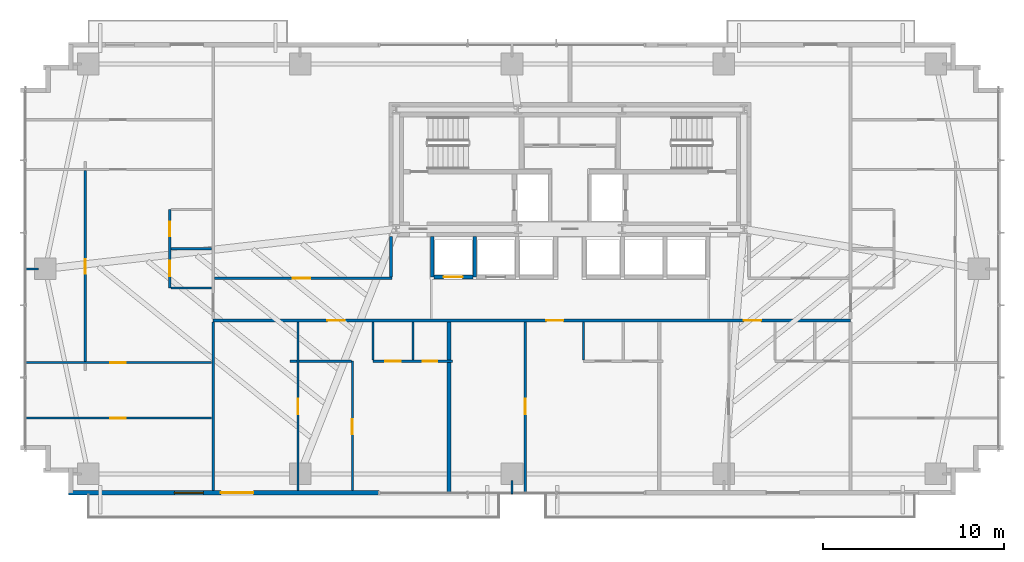
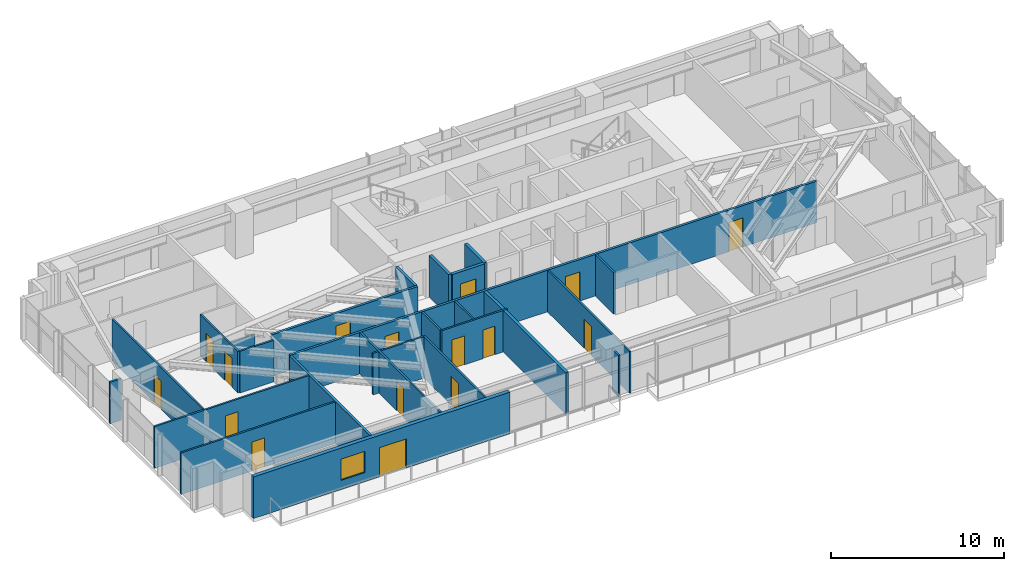
# One storey, part 19 of 25: 27 walls, 16 doors, 1 window, 17 openings.
"""IFC4 building model written with IfcOpenShell, lengths in metres."""

from ifc_helpers import new_model, si_unit, direction, frame, frame_2d, origin, place, context, subcontext, project, spatial, rectangle, extrude, source, transform, mapped, material, layer, layer_set, type_object, type_shapes, element, fill, save


model = new_model("IFC4")

# Units and contexts
model_context = context("Model", 3, precision=1e-05, world=origin(), true_north=direction((0.0, 1.0)))
body_context = subcontext(model_context, "Body", "Model", "MODEL_VIEW")
ifc_project = project(units=[si_unit("LENGTHUNIT", "METRE"), si_unit("AREAUNIT", "SQUARE_METRE"), si_unit("VOLUMEUNIT", "CUBIC_METRE"), si_unit("PLANEANGLEUNIT", "RADIAN"), si_unit("MASSUNIT", "GRAM", prefix="KILO")], contexts=[model_context])

# Site, building, storey
site_placement = place(None, origin())
site = spatial("IfcSite", under=ifc_project, at=site_placement, CompositionType="ELEMENT")
building_placement = place(site_placement, origin())
building = spatial("IfcBuilding", under=site, at=building_placement, Name="Astriad Promenade Condominiums", CompositionType="ELEMENT")
storey_placement = place(building_placement, frame((0.0, 0.0, 58.199951171875)))
storey = spatial("IfcBuildingStorey", under=building, at=storey_placement, Name="L16", CompositionType="ELEMENT", Elevation=58.199951171875)

# Wall, openings, doors
ifc_material_1 = material(Name="Fire-Rated Gypsum Partition")
ifc_layer_1 = layer(ifc_material_1, 0.159912109375)
ifc_layer_set_1 = layer_set([ifc_layer_1], Name="Fire-Rated Gypsum Partition")
wall_type_1 = type_object("IfcWallType", Name="WALL-CORR-160", PredefinedType="PARTITIONING", material=ifc_layer_set_1)
wall_1_placement = place(storey_placement, frame((16.300048828125, 12.35009765625, 0.0), z_axis=(0.0, 0.0, 1.0), x_axis=(1.0, 0.0, 0.0)))
wall_1 = element("IfcWall", 1, at=wall_1_placement, inside=storey, type_object=wall_type_1, Name="PT-COR-S-L16", PredefinedType="PARTITIONING", context=body_context, shape_type="SweptSolid", body=[
    extrude(rectangle(XDim=35.199951171875, YDim=0.159912109375, at=frame_2d((17.60009765625, 0.0))), origin(), (0.0, 0.0, 1.0), 2.93994140625),
])
opening_1_placement = place(wall_1_placement, frame((6.306884765625, 0.0, 0.0)))
opening_1 = element("IfcOpeningElement", 2, at=opening_1_placement, cuts=wall_1, Name="Opening FD60-APT-095", PredefinedType="OPENING", context=body_context, shape_type="SweptSolid", body=[
    extrude(rectangle(XDim=0.949951171875, YDim=2.06005859375, at=frame_2d((0.47509765625, 1.030029296875))), frame((0.0, 0.08984375, 0.0), z_axis=(0.0, -1.0, 0.0), x_axis=(1.0, 0.0, 0.0)), (0.0, 0.0, 1.0), 0.179931640625),
])
opening_2_placement = place(wall_1_placement, frame((18.39208984375, 0.0, 0.0)))
opening_2 = element("IfcOpeningElement", 3, at=opening_2_placement, cuts=wall_1, Name="Opening FD60-APT-095", PredefinedType="OPENING", context=body_context, shape_type="SweptSolid", body=[
    extrude(rectangle(XDim=0.949951171875, YDim=2.06005859375, at=frame_2d((0.47509765625, 1.030029296875))), frame((0.0, 0.08984375, 0.0), z_axis=(0.0, -1.0, 0.0), x_axis=(1.0, 0.0, 0.0)), (0.0, 0.0, 1.0), 0.179931640625),
])
opening_3_placement = place(wall_1_placement, frame((29.303955078125, 0.0, 0.0)))
opening_3 = element("IfcOpeningElement", 4, at=opening_3_placement, cuts=wall_1, Name="Opening FD60-APT-095", PredefinedType="OPENING", context=body_context, shape_type="SweptSolid", body=[
    extrude(rectangle(XDim=0.949951171875, YDim=2.06005859375, at=frame_2d((0.47509765625, 1.030029296875))), frame((0.0, 0.08984375, 0.0), z_axis=(0.0, -1.0, 0.0), x_axis=(1.0, 0.0, 0.0)), (0.0, 0.0, 1.0), 0.179931640625),
])
ifc_material_2 = material(Name="Solid-Core Acoustic Timber Residence Entry Door", Category="wood")
door_type_1 = type_object("IfcDoorType", Name="FD60-APT-095", OperationType="NOTDEFINED", PredefinedType="DOOR", material=ifc_material_2)
shared_shape_1 = source(origin(), body_context, "Body", "SweptSolid", [
    extrude(rectangle(XDim=0.949951171875, YDim=2.06005859375, at=frame_2d((0.47509765625, 1.030029296875))), frame((0.0, 0.02490234375, 0.0), z_axis=(0.0, -1.0, 0.0), x_axis=(1.0, 0.0, 0.0)), (0.0, 0.0, 1.0), 0.050048828125),
])
type_shapes(door_type_1, [shared_shape_1])
door_1_placement = place(opening_1_placement, origin())
door_1 = element("IfcDoor", 5, at=door_1_placement, inside=storey, type_object=door_type_1, Name="D-ENT-L16-S1", OperationType="SINGLE_SWING_LEFT", OverallHeight=2.06005859375, OverallWidth=0.949951171875, PredefinedType="DOOR", context=body_context, shape_type="MappedRepresentation", body=[
    mapped(shared_shape_1, transform((0.0, 0.0, 0.0), scale=1.0)),
])
fill(opening_1, door_1)
door_2_placement = place(opening_2_placement, origin())
door_2 = element("IfcDoor", 6, at=door_2_placement, inside=storey, type_object=door_type_1, Name="D-ENT-L16-S2", OperationType="SINGLE_SWING_LEFT", OverallHeight=2.06005859375, OverallWidth=0.949951171875, PredefinedType="DOOR", context=body_context, shape_type="MappedRepresentation", body=[
    mapped(shared_shape_1, transform((0.0, 0.0, 0.0), scale=1.0)),
])
fill(opening_2, door_2)
door_3_placement = place(opening_3_placement, origin())
door_3 = element("IfcDoor", 7, at=door_3_placement, inside=storey, type_object=door_type_1, Name="D-ENT-L16-S3", OperationType="SINGLE_SWING_LEFT", OverallHeight=2.06005859375, OverallWidth=0.949951171875, PredefinedType="DOOR", context=body_context, shape_type="MappedRepresentation", body=[
    mapped(shared_shape_1, transform((0.0, 0.0, 0.0), scale=1.0)),
])
fill(opening_3, door_3)

# Wall
wall_2_placement = place(storey_placement, frame((16.300048828125, 2.9619140625, 0.0), z_axis=(0.0, 0.0, 1.0), x_axis=(0.0, 1.0, 0.0)))
element("IfcWall", 8, at=wall_2_placement, inside=storey, type_object=wall_type_1, Name="PT-COR-W-L16", PredefinedType="PARTITIONING", context=body_context, shape_type="SweptSolid", body=[
    extrude(rectangle(XDim=9.30615234375, YDim=0.159912109375, at=frame_2d((4.653076171875, 0.0))), origin(), (0.0, 0.0, 1.0), 2.93994140625),
])

# Wall, opening, door
wall_3_placement = place(storey_placement, frame((16.382080078125, 14.679931640625, 0.0), z_axis=(0.0, 0.0, 1.0), x_axis=(1.0, 0.0, 0.0)))
wall_3 = element("IfcWall", 9, at=wall_3_placement, inside=storey, type_object=wall_type_1, Name="PT-FLK-NW-L16", PredefinedType="PARTITIONING", context=body_context, shape_type="SweptSolid", body=[
    extrude(rectangle(XDim=9.77783203125, YDim=0.159912109375, at=frame_2d((4.888916015625, 0.0))), origin(), (0.0, 0.0, 1.0), 2.93994140625),
])
opening_4_placement = place(wall_3_placement, frame((4.31298828125, 0.0, 0.0)))
opening_4 = element("IfcOpeningElement", 10, at=opening_4_placement, cuts=wall_3, Name="Opening FD60-APT-095", PredefinedType="OPENING", context=body_context, shape_type="SweptSolid", body=[
    extrude(rectangle(XDim=0.949951171875, YDim=2.06005859375, at=frame_2d((0.47509765625, 1.030029296875))), frame((0.0, 0.08984375, 0.0), z_axis=(0.0, -1.0, 0.0), x_axis=(1.0, 0.0, 0.0)), (0.0, 0.0, 1.0), 0.179931640625),
])
door_4_placement = place(opening_4_placement, origin())
door_4 = element("IfcDoor", 11, at=door_4_placement, inside=storey, type_object=door_type_1, Name="D-NWA-L16", OperationType="SINGLE_SWING_RIGHT", OverallHeight=2.06005859375, OverallWidth=0.949951171875, PredefinedType="DOOR", context=body_context, shape_type="MappedRepresentation", body=[
    mapped(shared_shape_1, transform((0.0, 0.0, 0.0), scale=1.0)),
])
fill(opening_4, door_4)

# Walls
wall_4_placement = place(storey_placement, frame((26.1201171875, 14.761962890625, 0.0), z_axis=(0.0, 0.0, 1.0), x_axis=(0.0, 1.0, 0.0)))
element("IfcWall", 12, at=wall_4_placement, inside=storey, type_object=wall_type_1, Name="PT-WSPUR-W-L16", PredefinedType="PARTITIONING", context=body_context, shape_type="SweptSolid", body=[
    extrude(rectangle(XDim=2.236083984375, YDim=0.159912109375, at=frame_2d((1.1181640625, 0.0))), origin(), (0.0, 0.0, 1.0), 2.93994140625),
])
ifc_material_3 = material(Name="Acoustic Double-Stud Gypsum Partition")
ifc_layer_2 = layer(ifc_material_3, 0.199951171875)
ifc_layer_set_2 = layer_set([ifc_layer_2], Name="Acoustic Double-Stud Gypsum Partition")
wall_type_2 = type_object("IfcWallType", Name="WALL-DEMISING-200", PredefinedType="PARTITIONING", material=ifc_layer_set_2)
wall_5_placement = place(storey_placement, frame((29.323974609375, 2.780029296875, 0.0), z_axis=(0.0, 0.0, 1.0), x_axis=(0.0, 1.0, 0.0)))
element("IfcWall", 13, at=wall_5_placement, inside=storey, type_object=wall_type_2, Name="PT-DEM-S1-L16", PredefinedType="PARTITIONING", context=body_context, shape_type="SweptSolid", body=[
    extrude(rectangle(XDim=7.258056640625, YDim=0.199951171875, at=frame_2d((3.62890625, 0.0))), origin(), (0.0, 0.0, 1.0), 2.93994140625),
])
wall_6_placement = place(storey_placement, frame((29.323974609375, 10.162109375, 0.0), z_axis=(0.0, 0.0, 1.0), x_axis=(0.0, 1.0, 0.0)))
element("IfcWall", 14, at=wall_6_placement, inside=storey, type_object=wall_type_2, Name="PT-DEM-S1-L16-S2", PredefinedType="PARTITIONING", context=body_context, shape_type="SweptSolid", body=[
    extrude(rectangle(XDim=2.10595703125, YDim=0.199951171875, at=frame_2d((1.052978515625, 0.0))), origin(), (0.0, 0.0, 1.0), 2.93994140625),
])

# Wall, openings, door, window
ifc_material_4 = material(Name="Precast concrete C50/60", Category="concrete")
ifc_layer_3 = layer(ifc_material_4, 0.260009765625)
ifc_layer_set_3 = layer_set([ifc_layer_3], Name="Precast concrete C50/60")
wall_type_3 = type_object("IfcWallType", Name="WALL-EXT-TWR-260", PredefinedType="STANDARD", material=ifc_layer_set_3)
wall_7_placement = place(storey_placement, frame((25.449951171875, 2.830078125, 0.0), z_axis=(0.0, 0.0, 1.0), x_axis=(-1.0, 0.0, 0.0)))
wall_7 = element("IfcWall", 15, at=wall_7_placement, inside=storey, type_object=wall_type_3, Name="W-EXT-L16-S2", PredefinedType="STANDARD", context=body_context, shape_type="SweptSolid", body=[
    extrude(rectangle(XDim=17.14990234375, YDim=0.260009765625, at=frame_2d((8.574951171875, 0.0))), origin(), (0.0, 0.0, 1.0), 2.93994140625),
])
opening_5_placement = place(wall_7_placement, frame((6.929931640625, 0.0, 0.0)))
opening_5 = element("IfcOpeningElement", 16, at=opening_5_placement, cuts=wall_7, Name="Opening BD-1822-SLD", PredefinedType="OPENING", context=body_context, shape_type="SweptSolid", body=[
    extrude(rectangle(XDim=1.800048828125, YDim=2.06005859375, at=frame_2d((0.89990234375, 1.030029296875))), frame((0.0, 0.139892578125, 0.0), z_axis=(0.0, -1.0, 0.0), x_axis=(1.0, 0.0, 0.0)), (0.0, 0.0, 1.0), 0.280029296875),
])
opening_6_placement = place(wall_7_placement, frame((9.699951171875, 0.0, 0.64990234375)))
opening_6 = element("IfcOpeningElement", 17, at=opening_6_placement, cuts=wall_7, Name="Opening WIN-TWR-1620", PredefinedType="OPENING", context=body_context, shape_type="SweptSolid", body=[
    extrude(rectangle(XDim=1.60009765625, YDim=1.5, at=frame_2d((0.800048828125, 0.75))), frame((0.0, 0.139892578125, 0.0), z_axis=(0.0, -1.0, 0.0), x_axis=(1.0, 0.0, 0.0)), (0.0, 0.0, 1.0), 0.280029296875),
])
ifc_material_5 = material(Name="Thermally Broken Aluminium Sliding Balcony Door", Category="aluminium")
door_type_2 = type_object("IfcDoorType", Name="BD-1822-SLD", OperationType="NOTDEFINED", PredefinedType="DOOR", material=ifc_material_5)
shared_shape_2 = source(origin(), body_context, "Body", "SweptSolid", [
    extrude(rectangle(XDim=1.800048828125, YDim=2.06005859375, at=frame_2d((0.89990234375, 1.030029296875))), frame((0.0, 0.02490234375, 0.0), z_axis=(0.0, -1.0, 0.0), x_axis=(1.0, 0.0, 0.0)), (0.0, 0.0, 1.0), 0.050048828125),
])
type_shapes(door_type_2, [shared_shape_2])
door_5_placement = place(opening_5_placement, origin())
door_5 = element("IfcDoor", 18, at=door_5_placement, inside=storey, type_object=door_type_2, Name="BD-L16-SW", OperationType="SLIDING_TO_LEFT", OverallHeight=2.06005859375, OverallWidth=1.800048828125, PredefinedType="DOOR", context=body_context, shape_type="MappedRepresentation", body=[
    mapped(shared_shape_2, transform((0.0, 0.0, 0.0), scale=1.0)),
])
fill(opening_5, door_5)
ifc_material_6 = material(Name="Dark Tinted Triple-Glazed Aluminium Window", Category="aluminium")
window_type = type_object("IfcWindowType", Name="WIN-TWR-1620", PartitioningType="SINGLE_PANEL", PredefinedType="WINDOW", material=ifc_material_6)
shared_shape_3 = source(origin(), body_context, "Body", "SweptSolid", [
    extrude(rectangle(XDim=1.60009765625, YDim=1.5, at=frame_2d((0.800048828125, 0.75))), frame((0.0, 0.030029296875, 0.0), z_axis=(0.0, -1.0, 0.0), x_axis=(1.0, 0.0, 0.0)), (0.0, 0.0, 1.0), 0.06005859375),
])
type_shapes(window_type, [shared_shape_3])
window_placement = place(opening_6_placement, origin())
window = element("IfcWindow", 19, at=window_placement, inside=storey, type_object=window_type, Name="WIN-L16-SW", OverallHeight=1.5, OverallWidth=1.60009765625, PartitioningType="SINGLE_PANEL", PredefinedType="WINDOW", context=body_context, shape_type="MappedRepresentation", body=[
    mapped(shared_shape_3, transform((0.0, 0.0, 0.0), scale=1.0)),
])
fill(opening_6, window)

# Wall, openings, doors
ifc_material_7 = material(Name="Acoustic Metal-Stud Gypsum Partition")
ifc_layer_4 = layer(ifc_material_7, 0.1201171875)
ifc_layer_set_4 = layer_set([ifc_layer_4], Name="Acoustic Metal-Stud Gypsum Partition")
wall_type_4 = type_object("IfcWallType", Name="WALL-PART-120", PredefinedType="PARTITIONING", material=ifc_layer_set_4)
wall_8_placement = place(storey_placement, frame((25.1240234375, 10.10009765625, 0.0), z_axis=(0.0, 0.0, 1.0), x_axis=(1.0, 0.0, 0.0)))
wall_8 = element("IfcWall", 20, at=wall_8_placement, inside=storey, type_object=wall_type_4, Name="PT-L16-S1-PS", PredefinedType="PARTITIONING", context=body_context, shape_type="SweptSolid", body=[
    extrude(rectangle(XDim=4.39990234375, YDim=0.1201171875, at=frame_2d((2.199951171875, 0.0))), origin(), (0.0, 0.0, 1.0), 2.93994140625),
])
opening_7_placement = place(wall_8_placement, frame((0.675048828125, 0.0, 0.0)))
opening_7 = element("IfcOpeningElement", 21, at=opening_7_placement, cuts=wall_8, Name="Opening D-INT-085", PredefinedType="OPENING", context=body_context, shape_type="SweptSolid", body=[
    extrude(rectangle(XDim=0.85009765625, YDim=2.050048828125, at=frame_2d((0.425048828125, 1.02490234375))), frame((0.0, 0.070068359375, 0.0), z_axis=(0.0, -1.0, 0.0), x_axis=(1.0, 0.0, 0.0)), (0.0, 0.0, 1.0), 0.14013671875),
])
opening_8_placement = place(wall_8_placement, frame((2.75, 0.0, 0.0)))
opening_8 = element("IfcOpeningElement", 22, at=opening_8_placement, cuts=wall_8, Name="Opening D-WET-080", PredefinedType="OPENING", context=body_context, shape_type="SweptSolid", body=[
    extrude(rectangle(XDim=0.800048828125, YDim=2.02001953125, at=frame_2d((0.39990234375, 1.010009765625))), frame((0.0, 0.070068359375, 0.0), z_axis=(0.0, -1.0, 0.0), x_axis=(1.0, 0.0, 0.0)), (0.0, 0.0, 1.0), 0.14013671875),
])
ifc_material_8 = material(Name="Moisture-Resistant Timber Bathroom Door", Category="wood")
door_type_3 = type_object("IfcDoorType", Name="D-WET-080", OperationType="NOTDEFINED", PredefinedType="DOOR", material=ifc_material_8)
shared_shape_4 = source(origin(), body_context, "Body", "SweptSolid", [
    extrude(rectangle(XDim=0.800048828125, YDim=2.02001953125, at=frame_2d((0.39990234375, 1.010009765625))), frame((0.0, 0.02490234375, 0.0), z_axis=(0.0, -1.0, 0.0), x_axis=(1.0, 0.0, 0.0)), (0.0, 0.0, 1.0), 0.050048828125),
])
type_shapes(door_type_3, [shared_shape_4])
door_6_placement = place(opening_8_placement, origin())
door_6 = element("IfcDoor", 23, at=door_6_placement, inside=storey, type_object=door_type_3, Name="D-BTH-L16-S1", OperationType="SINGLE_SWING_LEFT", OverallHeight=2.02001953125, OverallWidth=0.800048828125, PredefinedType="DOOR", context=body_context, shape_type="MappedRepresentation", body=[
    mapped(shared_shape_4, transform((0.0, 0.0, 0.0), scale=1.0)),
])
fill(opening_8, door_6)
ifc_material_9 = material(Name="Painted Solid-Core Timber Room Door", Category="wood")
door_type_4 = type_object("IfcDoorType", Name="D-INT-085", OperationType="NOTDEFINED", PredefinedType="DOOR", material=ifc_material_9)
shared_shape_5 = source(origin(), body_context, "Body", "SweptSolid", [
    extrude(rectangle(XDim=0.85009765625, YDim=2.050048828125, at=frame_2d((0.425048828125, 1.02490234375))), frame((0.0, 0.02490234375, 0.0), z_axis=(0.0, -1.0, 0.0), x_axis=(1.0, 0.0, 0.0)), (0.0, 0.0, 1.0), 0.050048828125),
])
type_shapes(door_type_4, [shared_shape_5])
door_7_placement = place(opening_7_placement, origin())
door_7 = element("IfcDoor", 24, at=door_7_placement, inside=storey, type_object=door_type_4, Name="D-KIT-L16-S1", OperationType="SINGLE_SWING_RIGHT", OverallHeight=2.050048828125, OverallWidth=0.85009765625, PredefinedType="DOOR", context=body_context, shape_type="MappedRepresentation", body=[
    mapped(shared_shape_5, transform((0.0, 0.0, 0.0), scale=1.0)),
])
fill(opening_7, door_7)

# Walls
for number, where, z_axis, x_axis, name in (
    (25, (25.1240234375, 10.162109375, 0.0), (0.0, 0.0, 1.0), (0.0, 1.0, 0.0), "PT-L16-S1-PK"),
    (26, (27.323974609375, 10.162109375, 0.0), (0.0, 0.0, 1.0), (0.0, 1.0, 0.0), "PT-L16-S1-PB"),
):
    element("IfcWall", number, at=place(storey_placement, frame(where, z_axis=z_axis, x_axis=x_axis)), inside=storey, type_object=wall_type_4, Name=name, PredefinedType="PARTITIONING", context=body_context, shape_type="SweptSolid", body=[
        extrude(rectangle(XDim=2.10595703125, YDim=0.1201171875, at=frame_2d((1.052978515625, 0.0))), origin(), (0.0, 0.0, 1.0), 2.93994140625),
    ])

# Wall, opening, door
wall_9_placement = place(storey_placement, frame((20.97998046875, 2.9619140625, 0.0), z_axis=(0.0, 0.0, 1.0), x_axis=(0.0, 1.0, 0.0)))
wall_9 = element("IfcWall", 27, at=wall_9_placement, inside=storey, type_object=wall_type_4, Name="PT-L16-S1-CAP1", PredefinedType="PARTITIONING", context=body_context, shape_type="SweptSolid", body=[
    extrude(rectangle(XDim=9.30615234375, YDim=0.1201171875, at=frame_2d((4.653076171875, 0.0))), origin(), (0.0, 0.0, 1.0), 2.93994140625),
])
opening_9_placement = place(wall_9_placement, frame((4.218017578125, 0.0, 0.0)))
opening_9 = element("IfcOpeningElement", 28, at=opening_9_placement, cuts=wall_9, Name="Opening D-INT-085", PredefinedType="OPENING", context=body_context, shape_type="SweptSolid", body=[
    extrude(rectangle(XDim=0.85009765625, YDim=2.050048828125, at=frame_2d((0.425048828125, 1.02490234375))), frame((0.0, 0.070068359375, 0.0), z_axis=(0.0, -1.0, 0.0), x_axis=(1.0, 0.0, 0.0)), (0.0, 0.0, 1.0), 0.14013671875),
])
door_8_placement = place(opening_9_placement, origin())
door_8 = element("IfcDoor", 29, at=door_8_placement, inside=storey, type_object=door_type_4, Name="D-CAP1-L16-S1", OperationType="SINGLE_SWING_LEFT", OverallHeight=2.050048828125, OverallWidth=0.85009765625, PredefinedType="DOOR", context=body_context, shape_type="MappedRepresentation", body=[
    mapped(shared_shape_5, transform((0.0, 0.0, 0.0), scale=1.0)),
])
fill(opening_9, door_8)

wall_10_placement = place(storey_placement, frame((23.986083984375, 2.9619140625, 0.0), z_axis=(0.0, 0.0, 1.0), x_axis=(0.0, 1.0, 0.0)))
wall_10 = element("IfcWall", 30, at=wall_10_placement, inside=storey, type_object=wall_type_4, Name="PT-L16-S1-CAP2", PredefinedType="PARTITIONING", context=body_context, shape_type="SweptSolid", body=[
    extrude(rectangle(XDim=7.13818359375, YDim=0.1201171875, at=frame_2d((3.569091796875, 0.0))), origin(), (0.0, 0.0, 1.0), 2.93994140625),
])
opening_10_placement = place(wall_10_placement, frame((3.093017578125, 0.0, 0.0)))
opening_10 = element("IfcOpeningElement", 31, at=opening_10_placement, cuts=wall_10, Name="Opening D-INT-085", PredefinedType="OPENING", context=body_context, shape_type="SweptSolid", body=[
    extrude(rectangle(XDim=0.85009765625, YDim=2.050048828125, at=frame_2d((0.425048828125, 1.02490234375))), frame((0.0, 0.070068359375, 0.0), z_axis=(0.0, -1.0, 0.0), x_axis=(1.0, 0.0, 0.0)), (0.0, 0.0, 1.0), 0.14013671875),
])
door_9_placement = place(opening_10_placement, origin())
door_9 = element("IfcDoor", 32, at=door_9_placement, inside=storey, type_object=door_type_4, Name="D-CAP2-L16-S1", OperationType="SINGLE_SWING_RIGHT", OverallHeight=2.050048828125, OverallWidth=0.85009765625, PredefinedType="DOOR", context=body_context, shape_type="MappedRepresentation", body=[
    mapped(shared_shape_5, transform((0.0, 0.0, 0.0), scale=1.0)),
])
fill(opening_10, door_9)

# Walls
wall_11_placement = place(storey_placement, frame((20.5400390625, 10.10009765625, 0.0), z_axis=(0.0, 0.0, 1.0), x_axis=(1.0, 0.0, 0.0)))
element("IfcWall", 33, at=wall_11_placement, inside=storey, type_object=wall_type_4, Name="PT-L16-S1-CAP2H", PredefinedType="PARTITIONING", context=body_context, shape_type="SweptSolid", body=[
    extrude(rectangle(XDim=0.3779296875, YDim=0.1201171875, at=frame_2d((0.18896484375, 0.0))), origin(), (0.0, 0.0, 1.0), 2.93994140625),
])
wall_12_placement = place(storey_placement, frame((21.0419921875, 10.10009765625, 0.0), z_axis=(0.0, 0.0, 1.0), x_axis=(1.0, 0.0, 0.0)))
element("IfcWall", 34, at=wall_12_placement, inside=storey, type_object=wall_type_4, Name="PT-L16-S1-CAP2H-S2", PredefinedType="PARTITIONING", context=body_context, shape_type="SweptSolid", body=[
    extrude(rectangle(XDim=2.882080078125, YDim=0.1201171875, at=frame_2d((1.44091796875, 0.0))), origin(), (0.0, 0.0, 1.0), 2.93994140625),
])
wall_13_placement = place(storey_placement, frame((36.739990234375, 10.162109375, 0.0), z_axis=(0.0, 0.0, 1.0), x_axis=(0.0, 1.0, 0.0)))
element("IfcWall", 35, at=wall_13_placement, inside=storey, type_object=wall_type_4, Name="PT-L16-S2-PK", PredefinedType="PARTITIONING", context=body_context, shape_type="SweptSolid", body=[
    extrude(rectangle(XDim=2.10595703125, YDim=0.1201171875, at=frame_2d((1.052978515625, 0.0))), origin(), (0.0, 0.0, 1.0), 2.93994140625),
])

# Wall, opening, door
wall_14_placement = place(storey_placement, frame((33.533935546875, 2.780029296875, 0.0), z_axis=(0.0, 0.0, 1.0), x_axis=(0.0, 1.0, 0.0)))
wall_14 = element("IfcWall", 36, at=wall_14_placement, inside=storey, type_object=wall_type_4, Name="PT-L16-S2-CAP1", PredefinedType="PARTITIONING", context=body_context, shape_type="SweptSolid", body=[
    extrude(rectangle(XDim=9.488037109375, YDim=0.1201171875, at=frame_2d((4.744140625, 0.0))), origin(), (0.0, 0.0, 1.0), 2.93994140625),
])
opening_11_placement = place(wall_14_placement, frame((4.39990234375, 0.0, 0.0)))
opening_11 = element("IfcOpeningElement", 37, at=opening_11_placement, cuts=wall_14, Name="Opening D-INT-085", PredefinedType="OPENING", context=body_context, shape_type="SweptSolid", body=[
    extrude(rectangle(XDim=0.85009765625, YDim=2.050048828125, at=frame_2d((0.425048828125, 1.02490234375))), frame((0.0, 0.070068359375, 0.0), z_axis=(0.0, -1.0, 0.0), x_axis=(1.0, 0.0, 0.0)), (0.0, 0.0, 1.0), 0.14013671875),
])
door_10_placement = place(opening_11_placement, origin())
door_10 = element("IfcDoor", 38, at=door_10_placement, inside=storey, type_object=door_type_4, Name="D-CAP1-L16-S2", OperationType="SINGLE_SWING_RIGHT", OverallHeight=2.050048828125, OverallWidth=0.85009765625, PredefinedType="DOOR", context=body_context, shape_type="MappedRepresentation", body=[
    mapped(shared_shape_5, transform((0.0, 0.0, 0.0), scale=1.0)),
])
fill(opening_11, door_10)

# Wall, openings, doors
wall_15_placement = place(storey_placement, frame((13.89990234375, 14.135986328125, 0.0), z_axis=(0.0, 0.0, 1.0), x_axis=(0.0, 1.0, 0.0)))
wall_15 = element("IfcWall", 39, at=wall_15_placement, inside=storey, type_object=wall_type_4, Name="PT-L16-W1-PV", PredefinedType="PARTITIONING", context=body_context, shape_type="SweptSolid", body=[
    extrude(rectangle(XDim=4.35009765625, YDim=0.1201171875, at=frame_2d((2.175048828125, 0.0))), origin(), (0.0, 0.0, 1.0), 2.93994140625),
])
opening_12_placement = place(wall_15_placement, frame((0.662109375, 0.0, 0.0)))
opening_12 = element("IfcOpeningElement", 40, at=opening_12_placement, cuts=wall_15, Name="Opening D-INT-085", PredefinedType="OPENING", context=body_context, shape_type="SweptSolid", body=[
    extrude(rectangle(XDim=0.85009765625, YDim=2.050048828125, at=frame_2d((0.425048828125, 1.02490234375))), frame((0.0, 0.070068359375, 0.0), z_axis=(0.0, -1.0, 0.0), x_axis=(1.0, 0.0, 0.0)), (0.0, 0.0, 1.0), 0.14013671875),
])
opening_13_placement = place(wall_15_placement, frame((2.862060546875, 0.0, 0.0)))
opening_13 = element("IfcOpeningElement", 41, at=opening_13_placement, cuts=wall_15, Name="Opening D-WET-080", PredefinedType="OPENING", context=body_context, shape_type="SweptSolid", body=[
    extrude(rectangle(XDim=0.800048828125, YDim=2.02001953125, at=frame_2d((0.39990234375, 1.010009765625))), frame((0.0, 0.070068359375, 0.0), z_axis=(0.0, -1.0, 0.0), x_axis=(1.0, 0.0, 0.0)), (0.0, 0.0, 1.0), 0.14013671875),
])
door_11_placement = place(opening_13_placement, origin())
door_11 = element("IfcDoor", 42, at=door_11_placement, inside=storey, type_object=door_type_3, Name="D-BTH-L16-W1", OperationType="SINGLE_SWING_RIGHT", OverallHeight=2.02001953125, OverallWidth=0.800048828125, PredefinedType="DOOR", context=body_context, shape_type="MappedRepresentation", body=[
    mapped(shared_shape_4, transform((0.0, 0.0, 0.0), scale=1.0)),
])
fill(opening_13, door_11)
door_12_placement = place(opening_12_placement, origin())
door_12 = element("IfcDoor", 43, at=door_12_placement, inside=storey, type_object=door_type_4, Name="D-KIT-L16-W1", OperationType="SINGLE_SWING_LEFT", OverallHeight=2.050048828125, OverallWidth=0.85009765625, PredefinedType="DOOR", context=body_context, shape_type="MappedRepresentation", body=[
    mapped(shared_shape_5, transform((0.0, 0.0, 0.0), scale=1.0)),
])
fill(opening_12, door_12)

# Walls
wall_16_placement = place(storey_placement, frame((13.9619140625, 16.31103515625, 0.0), z_axis=(0.0, 0.0, 1.0), x_axis=(1.0, 0.0, 0.0)))
element("IfcWall", 44, at=wall_16_placement, inside=storey, type_object=wall_type_4, Name="PT-L16-W1-PM", PredefinedType="PARTITIONING", context=body_context, shape_type="SweptSolid", body=[
    extrude(rectangle(XDim=2.256103515625, YDim=0.1201171875, at=frame_2d((1.1279296875, 0.0))), origin(), (0.0, 0.0, 1.0), 2.044921875),
])
wall_17_placement = place(storey_placement, frame((13.9619140625, 14.135986328125, 0.0), z_axis=(0.0, 0.0, 1.0), x_axis=(1.0, 0.0, 0.0)))
element("IfcWall", 45, at=wall_17_placement, inside=storey, type_object=wall_type_4, Name="PT-L16-W1-PS", PredefinedType="PARTITIONING", context=body_context, shape_type="SweptSolid", body=[
    extrude(rectangle(XDim=2.256103515625, YDim=0.1201171875, at=frame_2d((1.1279296875, 0.0))), origin(), (0.0, 0.0, 1.0), 2.93994140625),
])

# Wall, opening, door
wall_18_placement = place(storey_placement, frame((5.8798828125, 6.9599609375, 0.0), z_axis=(0.0, 0.0, 1.0), x_axis=(1.0, 0.0, 0.0)))
wall_18 = element("IfcWall", 46, at=wall_18_placement, inside=storey, type_object=wall_type_4, Name="PT-L16-W1-WDS1", PredefinedType="PARTITIONING", context=body_context, shape_type="SweptSolid", body=[
    extrude(rectangle(XDim=10.338134765625, YDim=0.1201171875, at=frame_2d((5.1689453125, 0.0))), origin(), (0.0, 0.0, 1.0), 2.93994140625),
])
opening_14_placement = place(wall_18_placement, frame((4.735107421875, 0.0, 0.0)))
opening_14 = element("IfcOpeningElement", 47, at=opening_14_placement, cuts=wall_18, Name="Opening D-INT-085", PredefinedType="OPENING", context=body_context, shape_type="SweptSolid", body=[
    extrude(rectangle(XDim=0.85009765625, YDim=2.050048828125, at=frame_2d((0.425048828125, 1.02490234375))), frame((0.0, 0.070068359375, 0.0), z_axis=(0.0, -1.0, 0.0), x_axis=(1.0, 0.0, 0.0)), (0.0, 0.0, 1.0), 0.14013671875),
])
door_13_placement = place(opening_14_placement, origin())
door_13 = element("IfcDoor", 48, at=door_13_placement, inside=storey, type_object=door_type_4, Name="D-WDS1-L16-W1", OperationType="SINGLE_SWING_LEFT", OverallHeight=2.050048828125, OverallWidth=0.85009765625, PredefinedType="DOOR", context=body_context, shape_type="MappedRepresentation", body=[
    mapped(shared_shape_5, transform((0.0, 0.0, 0.0), scale=1.0)),
])
fill(opening_14, door_13)

wall_19_placement = place(storey_placement, frame((5.8798828125, 10.02587890625, 0.0), z_axis=(0.0, 0.0, 1.0), x_axis=(1.0, 0.0, 0.0)))
wall_19 = element("IfcWall", 49, at=wall_19_placement, inside=storey, type_object=wall_type_4, Name="PT-L16-W1-WDS3", PredefinedType="PARTITIONING", context=body_context, shape_type="SweptSolid", body=[
    extrude(rectangle(XDim=10.338134765625, YDim=0.1201171875, at=frame_2d((5.1689453125, 0.0))), origin(), (0.0, 0.0, 1.0), 2.93994140625),
])
opening_15_placement = place(wall_19_placement, frame((4.735107421875, 0.0, 0.0)))
opening_15 = element("IfcOpeningElement", 50, at=opening_15_placement, cuts=wall_19, Name="Opening D-INT-085", PredefinedType="OPENING", context=body_context, shape_type="SweptSolid", body=[
    extrude(rectangle(XDim=0.85009765625, YDim=2.050048828125, at=frame_2d((0.425048828125, 1.02490234375))), frame((0.0, 0.070068359375, 0.0), z_axis=(0.0, -1.0, 0.0), x_axis=(1.0, 0.0, 0.0)), (0.0, 0.0, 1.0), 0.14013671875),
])
door_14_placement = place(opening_15_placement, origin())
door_14 = element("IfcDoor", 51, at=door_14_placement, inside=storey, type_object=door_type_4, Name="D-WDS3-L16-W1", OperationType="SINGLE_SWING_LEFT", OverallHeight=2.050048828125, OverallWidth=0.85009765625, PredefinedType="DOOR", context=body_context, shape_type="MappedRepresentation", body=[
    mapped(shared_shape_5, transform((0.0, 0.0, 0.0), scale=1.0)),
])
fill(opening_15, door_14)

wall_20_placement = place(storey_placement, frame((9.237060546875, 10.087890625, 0.0), z_axis=(0.0, 0.0, 1.0), x_axis=(0.0, 1.0, 0.0)))
wall_20 = element("IfcWall", 52, at=wall_20_placement, inside=storey, type_object=wall_type_4, Name="PT-L16-W1-WDV5-S2", PredefinedType="PARTITIONING", context=body_context, shape_type="SweptSolid", body=[
    extrude(rectangle(XDim=10.5380859375, YDim=0.1201171875, at=frame_2d((5.26904296875, 0.0))), origin(), (0.0, 0.0, 1.0), 2.93994140625),
])
opening_16_placement = place(wall_20_placement, frame((4.843994140625, 0.0, 0.0)))
opening_16 = element("IfcOpeningElement", 53, at=opening_16_placement, cuts=wall_20, Name="Opening D-ULOW-080", PredefinedType="OPENING", context=body_context, shape_type="SweptSolid", body=[
    extrude(rectangle(XDim=0.800048828125, YDim=2.0, at=frame_2d((0.39990234375, 1.0))), frame((0.0, 0.070068359375, 0.0), z_axis=(0.0, -1.0, 0.0), x_axis=(1.0, 0.0, 0.0)), (0.0, 0.0, 1.0), 0.14013671875),
])
ifc_material_10 = material(Name="Painted Timber Low-Headroom Door", Category="wood")
door_type_5 = type_object("IfcDoorType", Name="D-ULOW-080", OperationType="NOTDEFINED", PredefinedType="DOOR", material=ifc_material_10)
shared_shape_6 = source(origin(), body_context, "Body", "SweptSolid", [
    extrude(rectangle(XDim=0.800048828125, YDim=2.0, at=frame_2d((0.39990234375, 1.0))), frame((0.0, 0.02490234375, 0.0), z_axis=(0.0, -1.0, 0.0), x_axis=(1.0, 0.0, 0.0)), (0.0, 0.0, 1.0), 0.050048828125),
])
type_shapes(door_type_5, [shared_shape_6])
door_15_placement = place(opening_16_placement, origin())
door_15 = element("IfcDoor", 54, at=door_15_placement, inside=storey, type_object=door_type_5, Name="D-WDV5-L16-W1", OperationType="SINGLE_SWING_LEFT", OverallHeight=2.0, OverallWidth=0.800048828125, PredefinedType="DOOR", context=body_context, shape_type="MappedRepresentation", body=[
    mapped(shared_shape_6, transform((0.0, 0.0, 0.0), scale=1.0)),
])
fill(opening_16, door_15)

# Walls
wall_21_placement = place(storey_placement, frame((32.800048828125, 3.5, 0.0), z_axis=(0.0, 0.0, 1.0), x_axis=(0.0, -1.0, 0.0)))
element("IfcWall", 55, at=wall_21_placement, inside=storey, type_object=wall_type_4, Name="PT-PIL-L16-PC03-10", PredefinedType="PARTITIONING", context=body_context, shape_type="SweptSolid", body=[
    extrude(rectangle(XDim=0.719970703125, YDim=0.1201171875, at=frame_2d((0.35986328125, 0.0))), origin(), (0.0, 0.0, 1.0), 2.93994140625),
])
wall_22_placement = place(storey_placement, frame((6.639892578125, 15.199951171875, 0.0), z_axis=(0.0, 0.0, 1.0), x_axis=(-1.0, 0.0, 0.0)))
element("IfcWall", 56, at=wall_22_placement, inside=storey, type_object=wall_type_4, Name="PT-PIL-L16-PC11-18", PredefinedType="PARTITIONING", context=body_context, shape_type="SweptSolid", body=[
    extrude(rectangle(XDim=0.760009765625, YDim=0.1201171875, at=frame_2d((0.3798828125, 0.0))), origin(), (0.0, 0.0, 1.0), 2.93994140625),
])
ifc_material_11 = material(Name="Gypsum Shaftliner Assembly")
ifc_layer_5 = layer(ifc_material_11, 0.199951171875)
ifc_layer_set_5 = layer_set([ifc_layer_5], Name="Gypsum Shaftliner Assembly")
wall_type_5 = type_object("IfcWallType", Name="WALL-SHAFT-200", PredefinedType="PARTITIONING", material=ifc_layer_set_5)
for number, where, z_axis, x_axis, name in (
    (57, (28.39990234375, 14.75, 0.0), (0.0, 0.0, 1.0), (0.0, 1.0, 0.0), "PL-W-OUT-L16"),
    (58, (30.75, 14.75, 0.0), (0.0, 0.0, 1.0), (0.0, 1.0, 0.0), "PL-L-DIV-L16"),
):
    element("IfcWall", number, at=place(storey_placement, frame(where, z_axis=z_axis, x_axis=x_axis)), inside=storey, type_object=wall_type_5, Name=name, PredefinedType="PARTITIONING", context=body_context, shape_type="SweptSolid", body=[
        extrude(rectangle(XDim=2.248046875, YDim=0.199951171875, at=frame_2d((1.1240234375, 0.0))), origin(), (0.0, 0.0, 1.0), 2.93994140625),
    ])

# Wall, opening, door
wall_23_placement = place(storey_placement, frame((28.501953125, 14.75, 0.0), z_axis=(0.0, 0.0, 1.0), x_axis=(1.0, 0.0, 0.0)))
wall_23 = element("IfcWall", 59, at=wall_23_placement, inside=storey, type_object=wall_type_5, Name="PL-L-FRT-L16", PredefinedType="PARTITIONING", context=body_context, shape_type="SweptSolid", body=[
    extrude(rectangle(XDim=2.14599609375, YDim=0.199951171875, at=frame_2d((1.072998046875, 0.0))), origin(), (0.0, 0.0, 1.0), 2.93994140625),
])
opening_17_placement = place(wall_23_placement, frame((0.52294921875, 0.0, 0.0)))
opening_17 = element("IfcOpeningElement", 60, at=opening_17_placement, cuts=wall_23, Name="Opening LD-PL-10522", PredefinedType="OPENING", context=body_context, shape_type="SweptSolid", body=[
    extrude(rectangle(XDim=1.050048828125, YDim=2.080078125, at=frame_2d((0.52490234375, 1.0400390625))), frame((0.0, 0.10986328125, 0.0), z_axis=(0.0, -1.0, 0.0), x_axis=(1.0, 0.0, 0.0)), (0.0, 0.0, 1.0), 0.219970703125),
])
ifc_material_12 = material(Name="Brushed Bronze Passenger Elevator Landing Door")
door_type_6 = type_object("IfcDoorType", Name="LD-PL-10522", OperationType="NOTDEFINED", PredefinedType="DOOR", material=ifc_material_12)
shared_shape_7 = source(origin(), body_context, "Body", "SweptSolid", [
    extrude(rectangle(XDim=1.050048828125, YDim=2.080078125, at=frame_2d((0.52490234375, 1.0400390625))), frame((0.0, 0.02490234375, 0.0), z_axis=(0.0, -1.0, 0.0), x_axis=(1.0, 0.0, 0.0)), (0.0, 0.0, 1.0), 0.050048828125),
])
type_shapes(door_type_6, [shared_shape_7])
door_16_placement = place(opening_17_placement, origin())
door_16 = element("IfcDoor", 61, at=door_16_placement, inside=storey, type_object=door_type_6, Name="Elevator Landing Door PL-L1 (L16)", OperationType="SLIDING_TO_LEFT", OverallHeight=2.080078125, OverallWidth=1.050048828125, PredefinedType="DOOR", context=body_context, shape_type="MappedRepresentation", body=[
    mapped(shared_shape_7, transform((0.0, 0.0, 0.0), scale=1.0)),
])
fill(opening_17, door_16)

save(model, "model.ifc")
